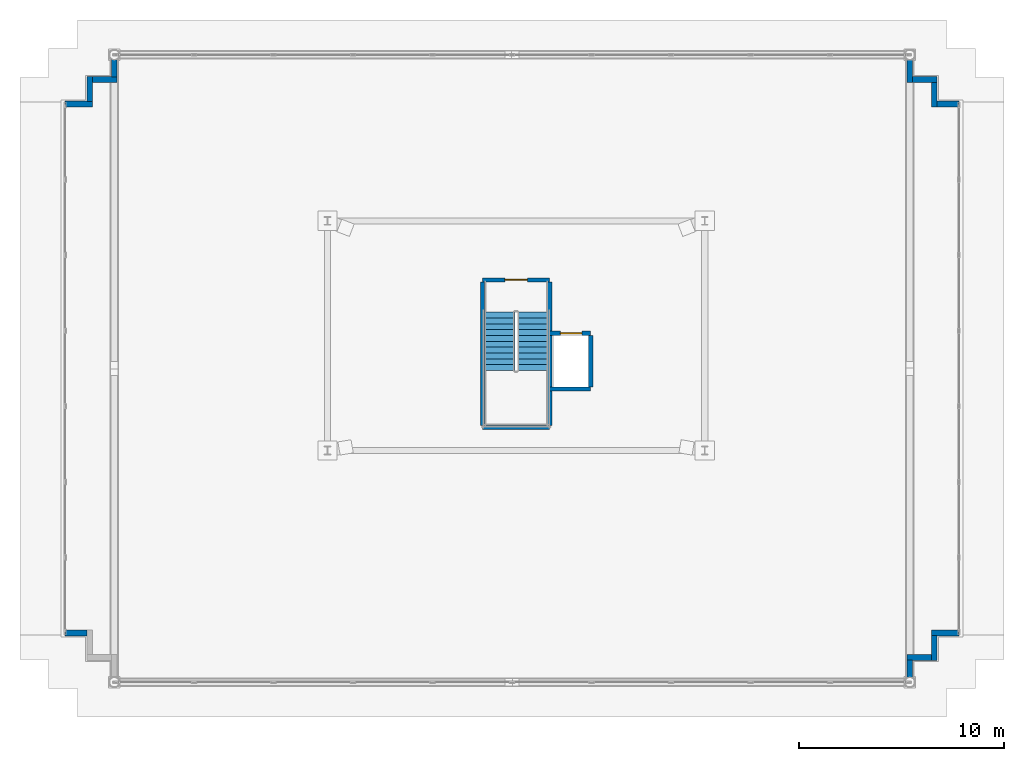
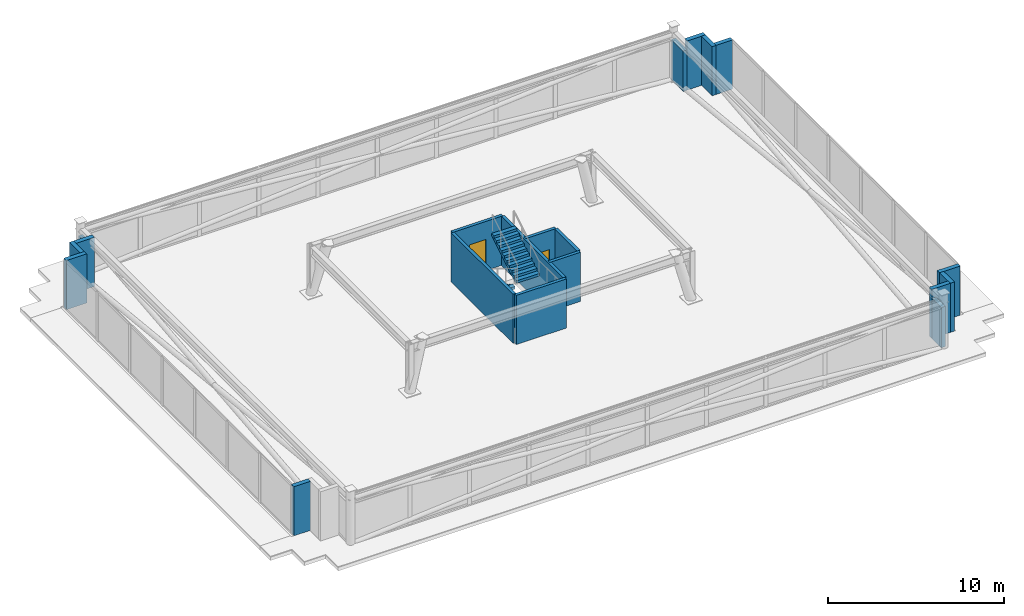
# One storey, part 20 of 23: 20 walls, 2 doors, 2 stair flights, 2 openings, 1 element without a shape of its own.
"""IFC4 building model written with IfcOpenShell, lengths in metres."""

import ifcopenshell
import ifcopenshell.guid

model = None  # the IFC model being written
_history = None  # IfcOwnerHistory: only IFC2X3 demands one
_inside = {}  # id of a spatial element -> (the spatial element, [elements in it])
_under = {}  # id of a project, library or spatial element -> (it, [spatial elements below it])
_declared = {}  # id of a project -> (the project, [libraries it declares])
_typed = {}  # id of a type object -> (the type object, [elements of that type])
_made_of = {}  # id of a material, layer set ... -> (it, [elements and type objects made of it])


def new_model(schema):
    """Start an empty IFC model of exactly this schema.

    Asked for "IFC4X3", IfcOpenShell would pick the latest addendum, in which some entities
    have other attributes; the version numbers below select the first issue.
    IFC2X3 requires an IfcOwnerHistory on every rooted entity: one is made here for all.
    """
    global model, _history
    if schema == "IFC4X3":
        model = ifcopenshell.file(schema_version=(4, 3, 0, 0))
    else:
        model = ifcopenshell.file(schema=schema)
    _inside.clear()
    _under.clear()
    _declared.clear()
    _typed.clear()
    _made_of.clear()
    _history = None
    if model.schema == "IFC2X3":
        org = make("IfcOrganization", Name="unknown")
        user = make(
            "IfcPersonAndOrganization",
            ThePerson=make("IfcPerson", FamilyName="unknown"),
            TheOrganization=org,
        )
        app = make(
            "IfcApplication",
            ApplicationDeveloper=org,
            Version="unknown",
            ApplicationFullName="unknown",
            ApplicationIdentifier="unknown",
        )
        _history = make(
            "IfcOwnerHistory",
            OwningUser=user,
            OwningApplication=app,
            ChangeAction="ADDED",
            CreationDate=0,
        )
    return model


def make(cls, **values):
    """One entity of the class cls with the attributes given. An attribute that is None is left unset."""
    return model.create_entity(
        cls, **{name: value for name, value in values.items() if value is not None}
    )


def rooted(cls, **values):
    """An entity with a GlobalId (a new one), such as an element, a storey or a relation."""
    return make(cls, GlobalId=ifcopenshell.guid.new(), OwnerHistory=_history, **values)


def si_unit(unit_type, name, prefix=None):
    """IfcSIUnit, for example si_unit("LENGTHUNIT", "METRE", prefix="MILLI")."""
    return make("IfcSIUnit", UnitType=unit_type, Prefix=prefix, Name=name)


def assignment(units):
    """IfcUnitAssignment: the units of a project."""
    return None if units is None else make("IfcUnitAssignment", Units=units)


def point(xyz):
    """IfcCartesianPoint."""
    return None if xyz is None else make("IfcCartesianPoint", Coordinates=xyz)


def direction(xyz):
    """IfcDirection."""
    return None if xyz is None else make("IfcDirection", DirectionRatios=xyz)


def frame(location, z_axis=None, x_axis=None):
    """IfcAxis2Placement3D, a coordinate frame: its origin and axes. An axis left out is left unset."""
    return make(
        "IfcAxis2Placement3D",
        Location=point(location),
        Axis=direction(z_axis),
        RefDirection=direction(x_axis),
    )


def frame_2d(location, x_axis=None):
    """IfcAxis2Placement2D, a coordinate frame in the plane: its origin and x axis."""
    return make(
        "IfcAxis2Placement2D", Location=point(location), RefDirection=direction(x_axis)
    )


def origin():
    """The frame at (0, 0, 0) with its axes left unset."""
    return frame((0.0, 0.0, 0.0))


def place(relative_to, where):
    """IfcLocalPlacement: puts the frame where relative to a parent placement (None: the world)."""
    return make(
        "IfcLocalPlacement", PlacementRelTo=relative_to, RelativePlacement=where
    )


def context(
    kind, dimensions, precision=None, world=None, true_north=None, identifier=None
):
    """IfcGeometricRepresentationContext, for example the 3D "Model" context."""
    return make(
        "IfcGeometricRepresentationContext",
        ContextIdentifier=identifier,
        ContextType=kind,
        CoordinateSpaceDimension=dimensions,
        Precision=precision,
        WorldCoordinateSystem=world,
        TrueNorth=true_north,
    )


def subcontext(parent, identifier, kind, view, scale=None):
    """IfcGeometricRepresentationSubContext, for example "Body" below "Model"."""
    return make(
        "IfcGeometricRepresentationSubContext",
        ContextIdentifier=identifier,
        ContextType=kind,
        ParentContext=parent,
        TargetScale=scale,
        TargetView=view,
    )


def project(units=None, contexts=None):
    """IfcProject with its units and contexts."""
    return rooted(
        "IfcProject",
        Name="project",
        RepresentationContexts=contexts,
        UnitsInContext=assignment(units),
    )


def spatial(cls, under=None, at=None, **own):
    """A site, building, storey or space (cls), placed at a placement, below another one or the project."""
    s = rooted(cls, ObjectPlacement=at, **own)
    if under is not None:
        _under.setdefault(under.id(), (under, []))[1].append(s)
    return s


def polyline(points):
    """IfcPolyline through the points."""
    return make("IfcPolyline", Points=[point(p) for p in points])


def profile(cls, at=None, kind="AREA", **sizes):
    """A parametric profile (cls). Its sizes go by their IFC names, for example OverallWidth=200.0."""
    return make(cls, ProfileType=kind, Position=at, **sizes)


def rectangle(**sizes):
    """IfcRectangleProfileDef."""
    return profile("IfcRectangleProfileDef", **sizes)


def outline(outer, holes=None, kind="AREA"):
    """IfcArbitraryClosedProfileDef: a profile drawn as a closed curve; with holes, ...WithVoids."""
    if holes is None:
        return make("IfcArbitraryClosedProfileDef", ProfileType=kind, OuterCurve=outer)
    return make(
        "IfcArbitraryProfileDefWithVoids",
        ProfileType=kind,
        OuterCurve=outer,
        InnerCurves=holes,
    )


def extrude(swept, where, along, depth):
    """IfcExtrudedAreaSolid: the profile swept, set in the frame where, extruded along a direction by depth."""
    return make(
        "IfcExtrudedAreaSolid",
        SweptArea=swept,
        Position=where,
        ExtrudedDirection=direction(along),
        Depth=depth,
    )


def shape(context_of_items, identifier, shape_type, items):
    """IfcShapeRepresentation: the items that make up one representation, for example the "Body"."""
    return make(
        "IfcShapeRepresentation",
        ContextOfItems=context_of_items,
        RepresentationIdentifier=identifier,
        RepresentationType=shape_type,
        Items=items,
    )


def material(Name=None, Category=None):
    """IfcMaterial."""
    return make("IfcMaterial", Name=Name, Category=Category)


def layer(
    of_material, thickness, ventilated=None, Name=None, Category=None, Priority=None
):
    """IfcMaterialLayer: one layer of a wall or slab, of a material (None: an air gap)."""
    return make(
        "IfcMaterialLayer",
        Material=of_material,
        LayerThickness=thickness,
        IsVentilated=ventilated,
        Name=Name,
        Category=Category,
        Priority=Priority,
    )


def layer_set(layers, Name=None):
    """IfcMaterialLayerSet."""
    return make("IfcMaterialLayerSet", MaterialLayers=layers, LayerSetName=Name)


def made_of(thing, what):
    """Note that an element or type object is made of a material, layer set ...; save() writes the relation."""
    if what is not None:
        _made_of.setdefault(what.id(), (what, []))[1].append(thing)
    return thing


def type_object(cls, material=None, **own):
    """A type object (cls), such as IfcWallType, which elements share."""
    return made_of(rooted(cls, **own), material)


def element(
    cls,
    number,
    at=None,
    inside=None,
    cuts=None,
    type_object=None,
    material=None,
    context=None,
    identifier="Body",
    shape_type=None,
    held_by="IfcProductDefinitionShape",
    body=None,
    shapes=None,
    **own,
):
    """One element of the class cls, such as IfcWall. Its Tag is "e" and its number.

    at: its placement. inside: the storey or other place that contains it. cuts: it is an
    opening in that element (IfcRelVoidsElement). A single representation is given by context,
    identifier, shape_type and body (its items); several are given by shapes. held_by: the class
    of the entity that holds the representations. save() writes the other relations.
    """
    e = rooted(cls, Tag="e%d" % number, ObjectPlacement=at, **own)
    if body is not None:
        shapes = [shape(context, identifier, shape_type, body)]
    if shapes is not None:
        e.Representation = make(held_by, Representations=shapes)
    if inside is not None:
        _inside.setdefault(inside.id(), (inside, []))[1].append(e)
    if cuts is not None:
        rooted(
            "IfcRelVoidsElement", RelatingBuildingElement=cuts, RelatedOpeningElement=e
        )
    if type_object is not None:
        _typed.setdefault(type_object.id(), (type_object, []))[1].append(e)
    return made_of(e, material)


def fill(opening, filler):
    """IfcRelFillsElement: the door or window that sits in an opening."""
    return rooted(
        "IfcRelFillsElement",
        RelatingOpeningElement=opening,
        RelatedBuildingElement=filler,
    )


def aggregate(whole, parts):
    """IfcRelAggregates: a whole, such as a stair, and the parts it consists of."""
    return rooted("IfcRelAggregates", RelatingObject=whole, RelatedObjects=parts)


def save(model, path):
    """Write the relations noted so far, then the file.

    IfcRelAggregates (storeys below a building ...), IfcRelContainedInSpatialStructure (elements
    in a storey), IfcRelDefinesByType, IfcRelAssociatesMaterial and IfcRelDeclares: one each for
    every whole, place, type object, material and project.
    """
    for whole, parts in _under.values():
        aggregate(whole, parts)
    for where, things in _inside.values():
        rooted(
            "IfcRelContainedInSpatialStructure",
            RelatedElements=things,
            RelatingStructure=where,
        )
    for kind, things in _typed.values():
        rooted("IfcRelDefinesByType", RelatedObjects=things, RelatingType=kind)
    for what, things in _made_of.values():
        rooted("IfcRelAssociatesMaterial", RelatedObjects=things, RelatingMaterial=what)
    for by, libraries in _declared.values():
        rooted("IfcRelDeclares", RelatingContext=by, RelatedDefinitions=libraries)
    model.write(path)


model = new_model("IFC4")

# Units and contexts
model_context = context("Model", 3, precision=1e-05, world=origin(), true_north=direction((0.0, 1.0)))
body_context = subcontext(model_context, "Body", "Model", "MODEL_VIEW")
ifc_project = project(units=[si_unit("LENGTHUNIT", "METRE"), si_unit("AREAUNIT", "SQUARE_METRE"), si_unit("VOLUMEUNIT", "CUBIC_METRE"), si_unit("PLANEANGLEUNIT", "RADIAN"), si_unit("MASSUNIT", "GRAM", prefix="KILO")], contexts=[model_context])

# Site, building, storey
site_placement = place(None, origin())
site = spatial("IfcSite", under=ifc_project, at=site_placement, CompositionType="ELEMENT")
building_placement = place(site_placement, origin())
building = spatial("IfcBuilding", under=site, at=building_placement, Name="Qobustan Lattice House", CompositionType="ELEMENT")
storey_placement = place(building_placement, frame((0.0, 0.0, 270.199951171875)))
storey = spatial("IfcBuildingStorey", under=building, at=storey_placement, Name="L76", CompositionType="ELEMENT", Elevation=270.199951171875)

# Walls
ifc_material_1 = material(Name="Precast concrete C40/50", Category="concrete")
ifc_layer_1 = layer(ifc_material_1, 0.280029296875)
ifc_layer_set_1 = layer_set([ifc_layer_1], Name="Precast concrete C40/50")
wall_type_1 = type_object("IfcWallType", Name="WAL-EXT-CROWN-280", PredefinedType="SOLIDWALL", material=ifc_layer_set_1)
wall_1_placement = place(storey_placement, frame((-20.927978515625, -14.5, 0.0), z_axis=(0.0, 0.0, 1.0), x_axis=(-1.0, 0.0, 0.0)))
element("IfcWall", 1, at=wall_1_placement, inside=storey, type_object=wall_type_1, Name="L76 crown faceted limestone wall 4", PredefinedType="SOLIDWALL", context=body_context, shape_type="SweptSolid", body=[
    extrude(rectangle(XDim=1.072021484375, YDim=0.280029296875, at=frame_2d((0.5361328125, 0.0))), origin(), (0.0, 0.0, 1.0), 3.400146484375),
])
wall_2_placement = place(storey_placement, frame((-22.0, 11.300048828125, 0.0), z_axis=(0.0, 0.0, 1.0), x_axis=(1.0, 0.0, 0.0)))
element("IfcWall", 2, at=wall_2_placement, inside=storey, type_object=wall_type_1, Name="L76 crown faceted limestone wall 6", PredefinedType="SOLIDWALL", context=body_context, shape_type="SweptSolid", body=[
    extrude(rectangle(XDim=1.340087890625, YDim=0.280029296875, at=frame_2d((0.669921875, 0.0))), origin(), (0.0, 0.0, 1.0), 3.400146484375),
])
wall_3_placement = place(storey_placement, frame((-20.800048828125, 11.427978515625, 0.0), z_axis=(0.0, 0.0, 1.0), x_axis=(0.0, 1.0, 0.0)))
element("IfcWall", 3, at=wall_3_placement, inside=storey, type_object=wall_type_1, Name="L76 crown faceted limestone wall 7", PredefinedType="SOLIDWALL", context=body_context, shape_type="SweptSolid", body=[
    extrude(rectangle(XDim=1.2119140625, YDim=0.280029296875, at=frame_2d((0.60595703125, 0.0))), origin(), (0.0, 0.0, 1.0), 3.400146484375),
])
wall_4_placement = place(storey_placement, frame((-20.672119140625, 12.5, 0.0), z_axis=(0.0, 0.0, 1.0), x_axis=(1.0, 0.0, 0.0)))
element("IfcWall", 4, at=wall_4_placement, inside=storey, type_object=wall_type_1, Name="L76 crown faceted limestone wall 8", PredefinedType="SOLIDWALL", context=body_context, shape_type="SweptSolid", body=[
    extrude(rectangle(XDim=1.212158203125, YDim=0.280029296875, at=frame_2d((0.60595703125, 0.0))), origin(), (0.0, 0.0, 1.0), 3.400146484375),
])
wall_5_placement = place(storey_placement, frame((-19.60009765625, 12.6279296875, 0.0), z_axis=(0.0, 0.0, 1.0), x_axis=(0.0, 1.0, 0.0)))
element("IfcWall", 5, at=wall_5_placement, inside=storey, type_object=wall_type_1, Name="L76 crown faceted limestone wall 9", PredefinedType="SOLIDWALL", context=body_context, shape_type="SweptSolid", body=[
    extrude(rectangle(XDim=1.072021484375, YDim=0.280029296875, at=frame_2d((0.5361328125, 0.0))), origin(), (0.0, 0.0, 1.0), 2.78515625),
])
wall_6_placement = place(storey_placement, frame((19.199951171875, 13.699951171875, 0.0), z_axis=(0.0, 0.0, 1.0), x_axis=(0.0, -1.0, 0.0)))
element("IfcWall", 6, at=wall_6_placement, inside=storey, type_object=wall_type_1, Name="L76 crown faceted limestone wall 11", PredefinedType="SOLIDWALL", context=body_context, shape_type="SweptSolid", body=[
    extrude(rectangle(XDim=1.33984375, YDim=0.280029296875, at=frame_2d((0.669921875, 0.0))), origin(), (0.0, 0.0, 1.0), 2.78515625),
])
for number, where, z_axis, x_axis, name in (
    (7, (19.327880859375, 12.5, 0.0), (0.0, 0.0, 1.0), (1.0, 0.0, 0.0), "L76 crown faceted limestone wall 12"),
    (8, (20.39990234375, 12.3720703125, 0.0), (0.0, 0.0, 1.0), (0.0, -1.0, 0.0), "L76 crown faceted limestone wall 13"),
):
    element("IfcWall", number, at=place(storey_placement, frame(where, z_axis=z_axis, x_axis=x_axis)), inside=storey, type_object=wall_type_1, Name=name, PredefinedType="SOLIDWALL", context=body_context, shape_type="SweptSolid", body=[
        extrude(rectangle(XDim=1.212158203125, YDim=0.280029296875, at=frame_2d((0.60595703125, 0.0))), origin(), (0.0, 0.0, 1.0), 3.400146484375),
    ])
wall_7_placement = place(storey_placement, frame((20.528076171875, 11.300048828125, 0.0), z_axis=(0.0, 0.0, 1.0), x_axis=(1.0, 0.0, 0.0)))
element("IfcWall", 9, at=wall_7_placement, inside=storey, type_object=wall_type_1, Name="L76 crown faceted limestone wall 14", PredefinedType="SOLIDWALL", context=body_context, shape_type="SweptSolid", body=[
    extrude(rectangle(XDim=1.072021484375, YDim=0.280029296875, at=frame_2d((0.5361328125, 0.0))), origin(), (0.0, 0.0, 1.0), 3.400146484375),
])
wall_8_placement = place(storey_placement, frame((21.60009765625, -14.5, 0.0), z_axis=(0.0, 0.0, 1.0), x_axis=(-1.0, 0.0, 0.0)))
element("IfcWall", 10, at=wall_8_placement, inside=storey, type_object=wall_type_1, Name="L76 crown faceted limestone wall 16", PredefinedType="SOLIDWALL", context=body_context, shape_type="SweptSolid", body=[
    extrude(rectangle(XDim=1.340087890625, YDim=0.280029296875, at=frame_2d((0.669921875, 0.0))), origin(), (0.0, 0.0, 1.0), 3.400146484375),
])
wall_9_placement = place(storey_placement, frame((20.39990234375, -14.6279296875, 0.0), z_axis=(0.0, 0.0, 1.0), x_axis=(0.0, -1.0, 0.0)))
element("IfcWall", 11, at=wall_9_placement, inside=storey, type_object=wall_type_1, Name="L76 crown faceted limestone wall 17", PredefinedType="SOLIDWALL", context=body_context, shape_type="SweptSolid", body=[
    extrude(rectangle(XDim=1.212158203125, YDim=0.280029296875, at=frame_2d((0.60595703125, 0.0))), origin(), (0.0, 0.0, 1.0), 3.400146484375),
])
wall_10_placement = place(storey_placement, frame((20.27197265625, -15.699951171875, 0.0), z_axis=(0.0, 0.0, 1.0), x_axis=(-1.0, 0.0, 0.0)))
element("IfcWall", 12, at=wall_10_placement, inside=storey, type_object=wall_type_1, Name="L76 crown faceted limestone wall 18", PredefinedType="SOLIDWALL", context=body_context, shape_type="SweptSolid", body=[
    extrude(rectangle(XDim=1.2119140625, YDim=0.280029296875, at=frame_2d((0.60595703125, 0.0))), origin(), (0.0, 0.0, 1.0), 3.400146484375),
])
wall_11_placement = place(storey_placement, frame((19.199951171875, -15.827880859375, 0.0), z_axis=(0.0, 0.0, 1.0), x_axis=(0.0, -1.0, 0.0)))
element("IfcWall", 13, at=wall_11_placement, inside=storey, type_object=wall_type_1, Name="L76 crown faceted limestone wall 19", PredefinedType="SOLIDWALL", context=body_context, shape_type="SweptSolid", body=[
    extrude(rectangle(XDim=1.072021484375, YDim=0.280029296875, at=frame_2d((0.5361328125, 0.0))), origin(), (0.0, 0.0, 1.0), 2.78515625),
])

# Wall, opening, door
ifc_material_2 = material(Name="Concrete C40/50", Category="concrete")
ifc_layer_2 = layer(ifc_material_2, 0.199951171875)
ifc_layer_set_2 = layer_set([ifc_layer_2], Name="Concrete C40/50")
wall_type_2 = type_object("IfcWallType", Name="WAL-SHAFT-LB-200", PredefinedType="SHEAR", material=ifc_layer_set_2)
wall_12_placement = place(storey_placement, frame((-1.639892578125, 2.719970703125, 0.0), z_axis=(0.0, 0.0, 1.0), x_axis=(1.0, 0.0, 0.0)))
wall_12 = element("IfcWall", 14, at=wall_12_placement, inside=storey, type_object=wall_type_2, Name="L76 crown stair ST-C1 RC shaft wall STC-N", PredefinedType="SHEAR", context=body_context, shape_type="SweptSolid", body=[
    extrude(rectangle(XDim=3.27978515625, YDim=0.199951171875, at=frame_2d((1.639892578125, 0.0))), origin(), (0.0, 0.0, 1.0), 3.400146484375),
])
opening_1_placement = place(wall_12_placement, frame((1.090087890625, 0.0, 0.0)))
opening_1 = element("IfcOpeningElement", 15, at=opening_1_placement, cuts=wall_12, Name="Opening SD-01", PredefinedType="OPENING", context=body_context, shape_type="SweptSolid", body=[
    extrude(rectangle(XDim=1.10009765625, YDim=2.14990234375, at=frame_2d((0.550048828125, 1.074951171875))), frame((0.0, 0.10986328125, 0.0), z_axis=(0.0, -1.0, 0.0), x_axis=(1.0, 0.0, 0.0)), (0.0, 0.0, 1.0), 0.219970703125),
])
ifc_material_3 = material(Name="Persian walnut timber and steel frame door", Category="steel")
door_type_1 = type_object("IfcDoorType", Name="DOR-STAIR-FD-1100x2150", OperationType="NOTDEFINED", PredefinedType="DOOR", material=ifc_material_3)
door_1_placement = place(opening_1_placement, origin())
door_1 = element("IfcDoor", 16, at=door_1_placement, inside=storey, type_object=door_type_1, Name="L76 crown access stair ST-C1 fire door", OperationType="SINGLE_SWING_RIGHT", OverallHeight=2.14990234375, OverallWidth=1.10009765625, PredefinedType="DOOR", context=body_context, shape_type="SweptSolid", body=[
    extrude(rectangle(XDim=1.10009765625, YDim=2.14990234375, at=frame_2d((0.550048828125, 1.074951171875))), frame((0.0, 0.02490234375, 0.0), z_axis=(0.0, -1.0, 0.0), x_axis=(1.0, 0.0, 0.0)), (0.0, 0.0, 1.0), 0.050048828125),
])
fill(opening_1, door_1)

# Walls
wall_13_placement = place(storey_placement, frame((-1.639892578125, -4.47998046875, 0.0), z_axis=(0.0, 0.0, 1.0), x_axis=(1.0, 0.0, 0.0)))
element("IfcWall", 17, at=wall_13_placement, inside=storey, type_object=wall_type_2, Name="L76 crown stair ST-C1 RC shaft wall STC-S", PredefinedType="SHEAR", context=body_context, shape_type="SweptSolid", body=[
    extrude(rectangle(XDim=3.27978515625, YDim=0.199951171875, at=frame_2d((1.639892578125, 0.0))), origin(), (0.0, 0.0, 1.0), 3.400146484375),
])
for number, where, z_axis, x_axis, name in (
    (18, (-1.639892578125, -4.3798828125, 0.0), (0.0, 0.0, 1.0), (0.0, 1.0, 0.0), "L76 crown stair ST-C1 RC shaft wall STC-W"),
    (19, (1.639892578125, -4.3798828125, 0.0), (0.0, 0.0, 1.0), (0.0, 1.0, 0.0), "L76 crown stair ST-C1 RC shaft wall STC-E"),
):
    element("IfcWall", number, at=place(storey_placement, frame(where, z_axis=z_axis, x_axis=x_axis)), inside=storey, type_object=wall_type_2, Name=name, PredefinedType="SHEAR", context=body_context, shape_type="SweptSolid", body=[
        extrude(rectangle(XDim=7.0, YDim=0.199951171875, at=frame_2d((3.5, 0.0))), origin(), (0.0, 0.0, 1.0), 3.400146484375),
    ])

# Wall, opening, door
wall_14_placement = place(storey_placement, frame((1.639892578125, 0.1201171875, 0.0), z_axis=(0.0, 0.0, 1.0), x_axis=(1.0, 0.0, 0.0)))
wall_14 = element("IfcWall", 20, at=wall_14_placement, inside=storey, type_object=wall_type_2, Name="L76 crown firefighting lift RC shaft wall FFC-N", PredefinedType="SHEAR", context=body_context, shape_type="SweptSolid", body=[
    extrude(rectangle(XDim=2.0, YDim=0.199951171875, at=frame_2d((1.0, 0.0))), origin(), (0.0, 0.0, 1.0), 3.400146484375),
])
opening_2_placement = place(wall_14_placement, frame((0.514892578125, 0.0, 0.0)))
opening_2 = element("IfcOpeningElement", 21, at=opening_2_placement, cuts=wall_14, Name="Opening LD-01", PredefinedType="OPENING", context=body_context, shape_type="SweptSolid", body=[
    extrude(rectangle(XDim=1.050048828125, YDim=2.10009765625, at=frame_2d((0.52490234375, 1.050048828125))), frame((0.0, 0.10986328125, 0.0), z_axis=(0.0, -1.0, 0.0), x_axis=(1.0, 0.0, 0.0)), (0.0, 0.0, 1.0), 0.219970703125),
])
ifc_material_4 = material(Name="Persian walnut timber and steel frame door", Category="steel")
door_type_2 = type_object("IfcDoorType", Name="DOR-LIFT-LD-1050x2100", OperationType="NOTDEFINED", PredefinedType="DOOR", material=ifc_material_4)
door_2_placement = place(opening_2_placement, origin())
door_2 = element("IfcDoor", 22, at=door_2_placement, inside=storey, type_object=door_type_2, Name="L76 crown firefighting lift FF-C landing door", OperationType="DOUBLE_DOOR_SLIDING", OverallHeight=2.10009765625, OverallWidth=1.050048828125, PredefinedType="DOOR", context=body_context, shape_type="SweptSolid", body=[
    extrude(rectangle(XDim=1.050048828125, YDim=2.10009765625, at=frame_2d((0.52490234375, 1.050048828125))), frame((0.0, 0.02490234375, 0.0), z_axis=(0.0, -1.0, 0.0), x_axis=(1.0, 0.0, 0.0)), (0.0, 0.0, 1.0), 0.050048828125),
])
fill(opening_2, door_2)

# Walls
wall_15_placement = place(storey_placement, frame((1.639892578125, -2.60009765625, 0.0), z_axis=(0.0, 0.0, 1.0), x_axis=(1.0, 0.0, 0.0)))
element("IfcWall", 23, at=wall_15_placement, inside=storey, type_object=wall_type_2, Name="L76 crown firefighting lift RC shaft wall FFC-S", PredefinedType="SHEAR", context=body_context, shape_type="SweptSolid", body=[
    extrude(rectangle(XDim=2.0, YDim=0.199951171875, at=frame_2d((1.0, 0.0))), origin(), (0.0, 0.0, 1.0), 3.400146484375),
])
wall_16_placement = place(storey_placement, frame((3.639892578125, -2.5, 0.0), z_axis=(0.0, 0.0, 1.0), x_axis=(0.0, 1.0, 0.0)))
element("IfcWall", 24, at=wall_16_placement, inside=storey, type_object=wall_type_2, Name="L76 crown firefighting lift RC shaft wall FFC-E", PredefinedType="SHEAR", context=body_context, shape_type="SweptSolid", body=[
    extrude(rectangle(XDim=2.52001953125, YDim=0.199951171875, at=frame_2d((1.260009765625, 0.0))), origin(), (0.0, 0.0, 1.0), 3.400146484375),
])

# Stair, stair flights
ifc_material_5 = material(Name="Concrete C40/50", Category="concrete")
stair_type = type_object("IfcStairType", Name="STR-CORE-DOGLEG", PredefinedType="HALF_TURN_STAIR", material=ifc_material_5)
stair_placement = place(storey_placement, origin())
stair = element("IfcStair", 25, at=stair_placement, inside=storey, type_object=stair_type, Name="L76 Crown access stair ST-C1", PredefinedType="HALF_TURN_STAIR")
ifc_material_6 = material(Name="Concrete C40/50", Category="concrete")
stair_flight_type = type_object("IfcStairFlightType", Name="SFL-RC-1500", PredefinedType="STRAIGHT", material=ifc_material_6)
stair_flight_1_placement = place(storey_placement, frame((-0.81005859375, 1.14990234375, 0.0), z_axis=(0.0, 0.0, 1.0), x_axis=(0.0, -1.0, 0.0)))
stair_flight_1 = element("IfcStairFlight", 26, at=stair_flight_1_placement, type_object=stair_flight_type, Name="ST-C1 flight 1", NumberOfRisers=11, NumberOfTreads=10, PredefinedType="STRAIGHT", RiserHeight=0.172727273, TreadLength=0.285, context=body_context, shape_type="SweptSolid", body=[
    extrude(outline(polyline([(0.0, 0.0), (0.0, 0.172607421875), (0.284912109375, 0.172607421875), (0.284912109375, 0.345458984375), (0.570068359375, 0.345458984375), (0.570068359375, 0.51806640625), (0.85498046875, 0.51806640625), (0.85498046875, 0.69091796875), (1.139892578125, 0.69091796875), (1.139892578125, 0.863525390625), (1.425048828125, 0.863525390625), (1.425048828125, 1.036376953125), (1.7099609375, 1.036376953125), (1.7099609375, 1.208984375), (1.9951171875, 1.208984375), (1.9951171875, 1.3818359375), (2.280029296875, 1.3818359375), (2.280029296875, 1.554443359375), (2.56494140625, 1.554443359375), (2.56494140625, 1.727294921875), (2.85009765625, 1.727294921875), (2.85009765625, 1.89990234375), (2.85009765625, 1.552001953125), (0.289306640625, 0.0), (0.0, 0.0)])), frame((0.0, 0.75, 0.0), z_axis=(0.0, -1.0, 0.0), x_axis=(1.0, 0.0, 0.0)), (0.0, 0.0, 1.0), 1.5),
])
stair_flight_2_placement = place(storey_placement, frame((0.81005859375, -1.699951171875, 1.900146484375), z_axis=(0.0, 0.0, 1.0), x_axis=(0.0, 1.0, 0.0)))
stair_flight_2 = element("IfcStairFlight", 27, at=stair_flight_2_placement, type_object=stair_flight_type, Name="ST-C1 flight 2", NumberOfRisers=11, NumberOfTreads=10, PredefinedType="STRAIGHT", RiserHeight=0.172727273, TreadLength=0.285, context=body_context, shape_type="SweptSolid", body=[
    extrude(outline(polyline([(0.0, 0.0), (0.0, 0.172607421875), (0.284912109375, 0.172607421875), (0.284912109375, 0.345458984375), (0.570068359375, 0.345458984375), (0.570068359375, 0.51806640625), (0.85498046875, 0.51806640625), (0.85498046875, 0.69091796875), (1.139892578125, 0.69091796875), (1.139892578125, 0.863525390625), (1.425048828125, 0.863525390625), (1.425048828125, 1.036376953125), (1.7099609375, 1.036376953125), (1.7099609375, 1.208984375), (1.9951171875, 1.208984375), (1.9951171875, 1.3818359375), (2.280029296875, 1.3818359375), (2.280029296875, 1.554443359375), (2.56494140625, 1.554443359375), (2.56494140625, 1.727294921875), (2.85009765625, 1.727294921875), (2.85009765625, 1.89990234375), (2.85009765625, 1.552001953125), (0.289306640625, 0.0), (0.0, 0.0)])), frame((0.0, 0.75, 0.0), z_axis=(0.0, -1.0, 0.0), x_axis=(1.0, 0.0, 0.0)), (0.0, 0.0, 1.0), 1.5),
])
aggregate(stair, [stair_flight_1, stair_flight_2])

save(model, "model.ifc")
